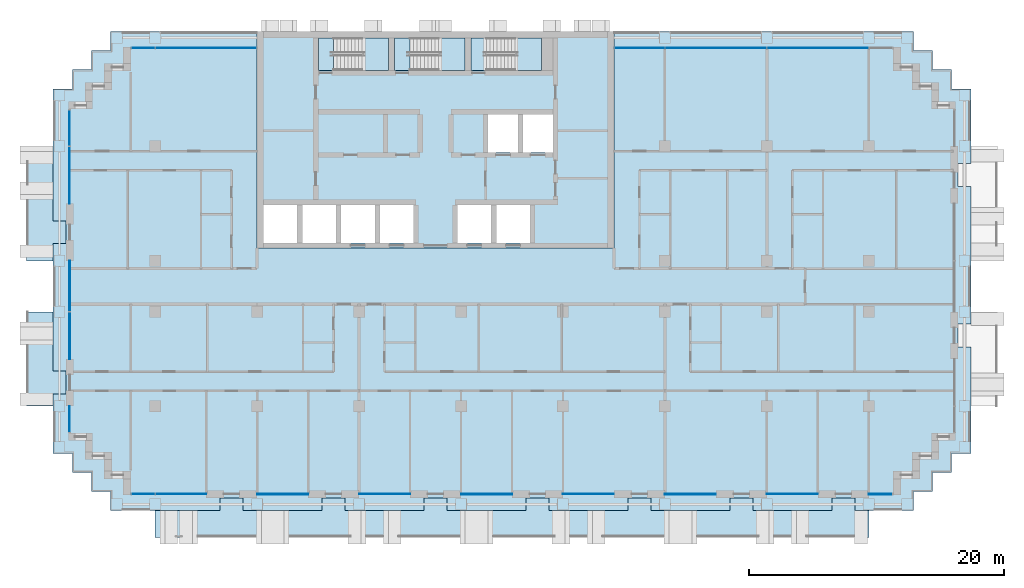
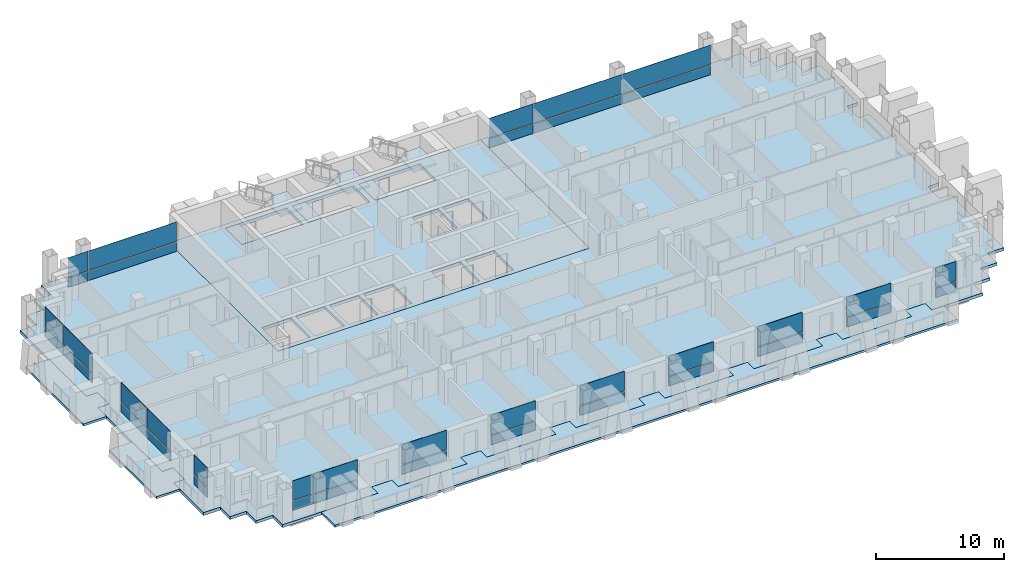
# One storey, part 7 of 18: 38 plates, 11 slabs, 16 elements without a shape of their own.
"""IFC4 building model written with IfcOpenShell, lengths in metres."""

from ifc_helpers import new_model, si_unit, direction, frame, origin, origin_2d, place, context, subcontext, project, spatial, polyline, rectangle, outline, extrude, material, layer, layer_set, type_object, element, aggregate, save


model = new_model("IFC4")

# Units and contexts
model_context = context("Model", 3, precision=1e-05, world=origin(), true_north=direction((0.0, 1.0)))
body_context = subcontext(model_context, "Body", "Model", "MODEL_VIEW")
ifc_project = project(units=[si_unit("LENGTHUNIT", "METRE"), si_unit("AREAUNIT", "SQUARE_METRE"), si_unit("VOLUMEUNIT", "CUBIC_METRE"), si_unit("PLANEANGLEUNIT", "RADIAN"), si_unit("MASSUNIT", "GRAM", prefix="KILO")], contexts=[model_context])

# Site, building, storey
site_placement = place(None, origin())
site = spatial("IfcSite", under=ifc_project, at=site_placement, CompositionType="ELEMENT")
building_placement = place(site_placement, origin())
building = spatial("IfcBuilding", under=site, at=building_placement, Name="Vidyagriha Tower", CompositionType="ELEMENT")
storey_placement = place(building_placement, frame((0.0, 0.0, 103.10009765625)))
storey = spatial("IfcBuildingStorey", under=building, at=storey_placement, Name="L27", CompositionType="ELEMENT", Elevation=103.10009765625)

# Curtain wall, plate
ifc_material_1 = material(Name="Aluminium and glass curtain wall", Category="aluminium")
curtain_wall_type = type_object("IfcCurtainWallType", Name="Dwelling skin unitised curtain wall", PredefinedType="USERDEFINED", material=ifc_material_1)
curtain_wall_1_placement = place(storey_placement, origin())
curtain_wall_1 = element("IfcCurtainWall", 1, at=curtain_wall_1_placement, inside=storey, type_object=curtain_wall_type, Name="CW1 dwelling skin", ObjectType="UNITISED", PredefinedType="USERDEFINED")
ifc_material_2 = material(Name="Glass dark ceramic-fritted spandrel", Category="glass")
ifc_layer_1 = layer(ifc_material_2, 0.0400390625)
ifc_layer_set_1 = layer_set([ifc_layer_1], Name="Glass dark ceramic-fritted spandrel")
plate_type_1 = type_object("IfcPlateType", Name="Ceramic-fritted spandrel panel", PredefinedType="CURTAIN_PANEL", material=ifc_layer_set_1)
plate_1_placement = place(storey_placement, frame((22.0, 18.699951171875, -0.000244140625), z_axis=(0.0, 0.0, 1.0), x_axis=(-1.0, 0.0, 0.0)))
plate_1 = element("IfcPlate", 2, at=plate_1_placement, type_object=plate_type_1, Name="CW1 panel 3.1", PredefinedType="CURTAIN_PANEL", context=body_context, shape_type="SweptSolid", body=[
    extrude(rectangle(XDim=7.929931640625, YDim=0.0400390625, at=origin_2d()), origin(), (0.0, 0.0, 1.0), 0.85009765625),
])

curtain_wall_2_placement = place(storey_placement, origin())
curtain_wall_2 = element("IfcCurtainWall", 3, at=curtain_wall_2_placement, inside=storey, type_object=curtain_wall_type, Name="CW1 dwelling skin", ObjectType="UNITISED", PredefinedType="USERDEFINED")
plate_2_placement = place(storey_placement, frame((-18.017578125, 18.699951171875, -0.000244140625), z_axis=(0.0, 0.0, 1.0), x_axis=(-1.0, 0.0, 0.0)))
plate_2 = element("IfcPlate", 4, at=plate_2_placement, type_object=plate_type_1, Name="CW1 panel 1.1", PredefinedType="CURTAIN_PANEL", context=body_context, shape_type="SweptSolid", body=[
    extrude(rectangle(XDim=7.89501953125, YDim=0.0400390625, at=origin_2d()), origin(), (0.0, 0.0, 1.0), 0.85009765625),
])

# Curtain wall, plates
curtain_wall_3_placement = place(storey_placement, origin())
curtain_wall_3 = element("IfcCurtainWall", 5, at=curtain_wall_3_placement, inside=storey, type_object=curtain_wall_type, Name="CW1 dwelling skin", ObjectType="UNITISED", PredefinedType="USERDEFINED")
plate_3_placement = place(storey_placement, frame((-28.699951171875, 12.4326171875, -0.000244140625), z_axis=(0.0, 0.0, 1.0), x_axis=(0.0, -1.0, 0.0)))
plate_3 = element("IfcPlate", 6, at=plate_3_placement, type_object=plate_type_1, Name="CW1 panel 1.1", PredefinedType="CURTAIN_PANEL", context=body_context, shape_type="SweptSolid", body=[
    extrude(rectangle(XDim=2.794921875, YDim=0.0400390625, at=origin_2d()), origin(), (0.0, 0.0, 1.0), 0.85009765625),
])
plate_4_placement = place(storey_placement, frame((-28.699951171875, 8.732421875, -0.000244140625), z_axis=(0.0, 0.0, 1.0), x_axis=(0.0, -1.0, 0.0)))
plate_4 = element("IfcPlate", 7, at=plate_4_placement, type_object=plate_type_1, Name="CW1 panel 2.1", PredefinedType="CURTAIN_PANEL", context=body_context, shape_type="SweptSolid", body=[
    extrude(rectangle(XDim=4.465087890625, YDim=0.0400390625, at=origin_2d()), origin(), (0.0, 0.0, 1.0), 0.85009765625),
])

# Curtain wall, plate
curtain_wall_4_placement = place(storey_placement, origin())
curtain_wall_4 = element("IfcCurtainWall", 8, at=curtain_wall_4_placement, inside=storey, type_object=curtain_wall_type, Name="CW1 dwelling skin", ObjectType="UNITISED", PredefinedType="USERDEFINED")
plate_5_placement = place(storey_placement, frame((-28.699951171875, -10.4150390625, -0.000244140625), z_axis=(0.0, 0.0, 1.0), x_axis=(0.0, -1.0, 0.0)))
plate_5 = element("IfcPlate", 9, at=plate_5_placement, type_object=plate_type_1, Name="CW1 panel 1.1", PredefinedType="CURTAIN_PANEL", context=body_context, shape_type="SweptSolid", body=[
    extrude(rectangle(XDim=2.030029296875, YDim=0.0400390625, at=origin_2d()), origin(), (0.0, 0.0, 1.0), 0.85009765625),
])

# Curtain wall, plates
curtain_wall_5_placement = place(storey_placement, origin())
curtain_wall_5 = element("IfcCurtainWall", 10, at=curtain_wall_5_placement, inside=storey, type_object=curtain_wall_type, Name="CW1 dwelling skin", ObjectType="UNITISED", PredefinedType="USERDEFINED")
plate_6_placement = place(storey_placement, frame((-22.9326171875, -16.300048828125, -0.000244140625)))
plate_6 = element("IfcPlate", 11, at=plate_6_placement, type_object=plate_type_1, Name="CW1 panel 1.1", PredefinedType="CURTAIN_PANEL", context=body_context, shape_type="SweptSolid", body=[
    extrude(rectangle(XDim=1.794921875, YDim=0.0400390625, at=origin_2d()), origin(), (0.0, 0.0, 1.0), 0.85009765625),
])
plate_7_placement = place(storey_placement, frame((-19.982421875, -16.300048828125, -0.000244140625)))
plate_7 = element("IfcPlate", 12, at=plate_7_placement, type_object=plate_type_1, Name="CW1 panel 2.1", PredefinedType="CURTAIN_PANEL", context=body_context, shape_type="SweptSolid", body=[
    extrude(rectangle(XDim=3.965087890625, YDim=0.0400390625, at=origin_2d()), origin(), (0.0, 0.0, 1.0), 0.85009765625),
])

# Curtain wall, plate
curtain_wall_6_placement = place(storey_placement, origin())
curtain_wall_6 = element("IfcCurtainWall", 13, at=curtain_wall_6_placement, inside=storey, type_object=curtain_wall_type, Name="CW1 dwelling skin", ObjectType="UNITISED", PredefinedType="USERDEFINED")
plate_8_placement = place(storey_placement, frame((-4.0, -16.300048828125, -0.000244140625)))
plate_8 = element("IfcPlate", 14, at=plate_8_placement, type_object=plate_type_1, Name="CW1 panel 1.1", PredefinedType="CURTAIN_PANEL", context=body_context, shape_type="SweptSolid", body=[
    extrude(rectangle(XDim=4.0, YDim=0.0400390625, at=origin_2d()), origin(), (0.0, 0.0, 1.0), 0.85009765625),
])

curtain_wall_7_placement = place(storey_placement, origin())
curtain_wall_7 = element("IfcCurtainWall", 15, at=curtain_wall_7_placement, inside=storey, type_object=curtain_wall_type, Name="CW1 dwelling skin", ObjectType="UNITISED", PredefinedType="USERDEFINED")
plate_9_placement = place(storey_placement, frame((12.0, -16.300048828125, -0.000244140625)))
plate_9 = element("IfcPlate", 16, at=plate_9_placement, type_object=plate_type_1, Name="CW1 panel 1.1", PredefinedType="CURTAIN_PANEL", context=body_context, shape_type="SweptSolid", body=[
    extrude(rectangle(XDim=4.0, YDim=0.0400390625, at=origin_2d()), origin(), (0.0, 0.0, 1.0), 0.85009765625),
])

curtain_wall_8_placement = place(storey_placement, origin())
curtain_wall_8 = element("IfcCurtainWall", 17, at=curtain_wall_8_placement, inside=storey, type_object=curtain_wall_type, Name="CW1 dwelling skin", ObjectType="UNITISED", PredefinedType="USERDEFINED")
plate_10_placement = place(storey_placement, frame((28.0, -16.300048828125, -0.000244140625)))
plate_10 = element("IfcPlate", 18, at=plate_10_placement, type_object=plate_type_1, Name="CW1 panel 1.1", PredefinedType="CURTAIN_PANEL", context=body_context, shape_type="SweptSolid", body=[
    extrude(rectangle(XDim=4.0, YDim=0.0400390625, at=origin_2d()), origin(), (0.0, 0.0, 1.0), 0.85009765625),
])

# Slab
ifc_material_3 = material(Name="Concrete C60/75", Category="concrete")
ifc_layer_2 = layer(ifc_material_3, 0.280029296875)
ifc_layer_set_2 = layer_set([ifc_layer_2], Name="Concrete C60/75")
slab_type_1 = type_object("IfcSlabType", Name="Core floor slab 280 mm", PredefinedType="FLOOR", material=ifc_layer_set_2)
slab_1_placement = place(storey_placement, frame((0.0, 0.0, -0.280029296875)))
element("IfcSlab", 19, at=slab_1_placement, inside=storey, type_object=slab_type_1, Name="L27 core floor 1", PredefinedType="FLOOR", context=body_context, shape_type="SweptSolid", body=[
    extrude(outline(polyline([(-14.0, 3.0), (-14.0, 20.0), (14.0, 20.0), (14.0, 3.0), (-14.0, 3.0)]), holes=[polyline([(9.199951171875, 13.5), (6.86669921875, 13.5), (6.86669921875, 10.5), (9.199951171875, 10.5), (9.199951171875, 13.5)]), polyline([(4.0, 19.5), (2.800048828125, 19.5), (2.800048828125, 16.949951171875), (4.0, 16.949951171875), (8.300048828125, 16.949951171875), (8.300048828125, 19.5), (4.0, 19.5)]), polyline([(7.4111328125, 6.39990234375), (4.7666015625, 6.39990234375), (4.7666015625, 3.39990234375), (7.4111328125, 3.39990234375), (7.4111328125, 6.39990234375)]), polyline([(6.466796875, 13.5), (4.13330078125, 13.5), (4.13330078125, 10.5), (6.466796875, 10.5), (6.466796875, 13.5)]), polyline([(1.72216796875, 6.39990234375), (1.72216796875, 3.39990234375), (4.36669921875, 3.39990234375), (4.36669921875, 6.39990234375), (1.72216796875, 6.39990234375)]), polyline([(-2.0, 16.949951171875), (2.300048828125, 16.949951171875), (2.300048828125, 19.5), (-2.0, 19.5), (-3.199951171875, 19.5), (-3.199951171875, 16.949951171875), (-2.0, 16.949951171875)]), polyline([(-1.72216796875, 6.39990234375), (-4.36669921875, 6.39990234375), (-4.36669921875, 3.39990234375), (-1.72216796875, 3.39990234375), (-1.72216796875, 6.39990234375)]), polyline([(-8.0, 19.5), (-9.199951171875, 19.5), (-9.199951171875, 16.949951171875), (-8.0, 16.949951171875), (-3.699951171875, 16.949951171875), (-3.699951171875, 19.5), (-8.0, 19.5)]), polyline([(-4.7666015625, 6.39990234375), (-7.4111328125, 6.39990234375), (-7.4111328125, 3.39990234375), (-4.7666015625, 3.39990234375), (-4.7666015625, 6.39990234375)]), polyline([(-7.81103515625, 6.39990234375), (-10.45556640625, 6.39990234375), (-10.45556640625, 3.39990234375), (-7.81103515625, 3.39990234375), (-7.81103515625, 6.39990234375)]), polyline([(-13.5, 6.39990234375), (-13.5, 3.39990234375), (-10.855712890625, 3.39990234375), (-10.855712890625, 6.39990234375), (-13.5, 6.39990234375)])]), origin(), (0.0, 0.0, 1.0), 0.280029296875),
])

# Plate
ifc_material_4 = material(Name="Glass dark ceramic-fritted", Category="glass")
ifc_layer_3 = layer(ifc_material_4, 0.028076171875)
ifc_layer_set_3 = layer_set([ifc_layer_3], Name="Glass dark ceramic-fritted")
plate_type_2 = type_object("IfcPlateType", Name="Dark ceramic-fritted vision glass panel", PredefinedType="CURTAIN_PANEL", material=ifc_layer_set_3)
plate_11_placement = place(storey_placement, frame((30.0, 18.699951171875, 0.949951171875), z_axis=(0.0, 0.0, 1.0), x_axis=(-1.0, 0.0, 0.0)))
plate_11 = element("IfcPlate", 20, at=plate_11_placement, type_object=plate_type_2, Name="CW1 panel 2.2", PredefinedType="CURTAIN_PANEL", context=body_context, shape_type="SweptSolid", body=[
    extrude(rectangle(XDim=7.929931640625, YDim=0.028076171875, at=origin_2d()), origin(), (0.0, 0.0, 1.0), 1.85009765625),
])

plate_12_placement = place(storey_placement, frame((22.0, 18.699951171875, 0.949951171875), z_axis=(0.0, 0.0, 1.0), x_axis=(-1.0, 0.0, 0.0)))
plate_12 = element("IfcPlate", 21, at=plate_12_placement, type_object=plate_type_2, Name="CW1 panel 3.2", PredefinedType="CURTAIN_PANEL", context=body_context, shape_type="SweptSolid", body=[
    extrude(rectangle(XDim=7.929931640625, YDim=0.028076171875, at=origin_2d()), origin(), (0.0, 0.0, 1.0), 1.85009765625),
])

plate_13_placement = place(storey_placement, frame((16.017578125, 18.699951171875, 0.949951171875), z_axis=(0.0, 0.0, 1.0), x_axis=(-1.0, 0.0, 0.0)))
plate_13 = element("IfcPlate", 22, at=plate_13_placement, type_object=plate_type_2, Name="CW1 panel 4.2", PredefinedType="CURTAIN_PANEL", context=body_context, shape_type="SweptSolid", body=[
    extrude(rectangle(XDim=3.89501953125, YDim=0.028076171875, at=origin_2d()), origin(), (0.0, 0.0, 1.0), 1.85009765625),
])

plate_14_placement = place(storey_placement, frame((-18.017578125, 18.699951171875, 0.949951171875), z_axis=(0.0, 0.0, 1.0), x_axis=(-1.0, 0.0, 0.0)))
plate_14 = element("IfcPlate", 23, at=plate_14_placement, type_object=plate_type_2, Name="CW1 panel 1.2", PredefinedType="CURTAIN_PANEL", context=body_context, shape_type="SweptSolid", body=[
    extrude(rectangle(XDim=7.89501953125, YDim=0.028076171875, at=origin_2d()), origin(), (0.0, 0.0, 1.0), 1.85009765625),
])

plate_15_placement = place(storey_placement, frame((-22.9326171875, 18.699951171875, 0.949951171875), z_axis=(0.0, 0.0, 1.0), x_axis=(-1.0, 0.0, 0.0)))
plate_15 = element("IfcPlate", 24, at=plate_15_placement, type_object=plate_type_2, Name="CW1 panel 2.2", PredefinedType="CURTAIN_PANEL", context=body_context, shape_type="SweptSolid", body=[
    extrude(rectangle(XDim=1.794921875, YDim=0.028076171875, at=origin_2d()), origin(), (0.0, 0.0, 1.0), 1.85009765625),
])

plate_16_placement = place(storey_placement, frame((-28.699951171875, 12.4326171875, 0.949951171875), z_axis=(0.0, 0.0, 1.0), x_axis=(0.0, -1.0, 0.0)))
plate_16 = element("IfcPlate", 25, at=plate_16_placement, type_object=plate_type_2, Name="CW1 panel 1.2", PredefinedType="CURTAIN_PANEL", context=body_context, shape_type="SweptSolid", body=[
    extrude(rectangle(XDim=2.794921875, YDim=0.028076171875, at=origin_2d()), origin(), (0.0, 0.0, 1.0), 1.85009765625),
])

plate_17_placement = place(storey_placement, frame((-28.699951171875, 8.732421875, 0.949951171875), z_axis=(0.0, 0.0, 1.0), x_axis=(0.0, -1.0, 0.0)))
plate_17 = element("IfcPlate", 26, at=plate_17_placement, type_object=plate_type_2, Name="CW1 panel 2.2", PredefinedType="CURTAIN_PANEL", context=body_context, shape_type="SweptSolid", body=[
    extrude(rectangle(XDim=4.465087890625, YDim=0.028076171875, at=origin_2d()), origin(), (0.0, 0.0, 1.0), 1.85009765625),
])

aggregate(curtain_wall_3, [plate_3, plate_16, plate_4, plate_17])

# Curtain wall, plates
curtain_wall_9_placement = place(storey_placement, origin())
curtain_wall_9 = element("IfcCurtainWall", 27, at=curtain_wall_9_placement, inside=storey, type_object=curtain_wall_type, Name="CW1 dwelling skin", ObjectType="UNITISED", PredefinedType="USERDEFINED")
plate_18_placement = place(storey_placement, frame((-28.699951171875, 0.017578125, 0.949951171875), z_axis=(0.0, 0.0, 1.0), x_axis=(0.0, -1.0, 0.0)))
plate_18 = element("IfcPlate", 28, at=plate_18_placement, type_object=plate_type_2, Name="CW1 panel 1.2", PredefinedType="CURTAIN_PANEL", context=body_context, shape_type="SweptSolid", body=[
    extrude(rectangle(XDim=3.965087890625, YDim=0.028076171875, at=origin_2d()), origin(), (0.0, 0.0, 1.0), 1.85009765625),
])
plate_19_placement = place(storey_placement, frame((-28.699951171875, -3.867431640625, 0.949951171875), z_axis=(0.0, 0.0, 1.0), x_axis=(0.0, -1.0, 0.0)))
plate_19 = element("IfcPlate", 29, at=plate_19_placement, type_object=plate_type_2, Name="CW1 panel 2.2", PredefinedType="CURTAIN_PANEL", context=body_context, shape_type="SweptSolid", body=[
    extrude(rectangle(XDim=3.6650390625, YDim=0.028076171875, at=origin_2d()), origin(), (0.0, 0.0, 1.0), 1.85009765625),
])

# Plate
plate_20_placement = place(storey_placement, frame((-28.699951171875, -10.4150390625, 0.949951171875), z_axis=(0.0, 0.0, 1.0), x_axis=(0.0, -1.0, 0.0)))
plate_20 = element("IfcPlate", 30, at=plate_20_placement, type_object=plate_type_2, Name="CW1 panel 1.2", PredefinedType="CURTAIN_PANEL", context=body_context, shape_type="SweptSolid", body=[
    extrude(rectangle(XDim=2.030029296875, YDim=0.028076171875, at=origin_2d()), origin(), (0.0, 0.0, 1.0), 1.85009765625),
])

aggregate(curtain_wall_4, [plate_5, plate_20])

plate_21_placement = place(storey_placement, frame((-22.9326171875, -16.300048828125, 0.949951171875)))
plate_21 = element("IfcPlate", 31, at=plate_21_placement, type_object=plate_type_2, Name="CW1 panel 1.2", PredefinedType="CURTAIN_PANEL", context=body_context, shape_type="SweptSolid", body=[
    extrude(rectangle(XDim=1.794921875, YDim=0.028076171875, at=origin_2d()), origin(), (0.0, 0.0, 1.0), 1.85009765625),
])

plate_22_placement = place(storey_placement, frame((-19.982421875, -16.300048828125, 0.949951171875)))
plate_22 = element("IfcPlate", 32, at=plate_22_placement, type_object=plate_type_2, Name="CW1 panel 2.2", PredefinedType="CURTAIN_PANEL", context=body_context, shape_type="SweptSolid", body=[
    extrude(rectangle(XDim=3.965087890625, YDim=0.028076171875, at=origin_2d()), origin(), (0.0, 0.0, 1.0), 1.85009765625),
])

aggregate(curtain_wall_5, [plate_6, plate_21, plate_7, plate_22])

# Curtain wall, plate
curtain_wall_10_placement = place(storey_placement, origin())
curtain_wall_10 = element("IfcCurtainWall", 33, at=curtain_wall_10_placement, inside=storey, type_object=curtain_wall_type, Name="CW1 dwelling skin", ObjectType="UNITISED", PredefinedType="USERDEFINED")
plate_23_placement = place(storey_placement, frame((-12.0, -16.300048828125, 0.949951171875)))
plate_23 = element("IfcPlate", 34, at=plate_23_placement, type_object=plate_type_2, Name="CW1 panel 1.2", PredefinedType="CURTAIN_PANEL", context=body_context, shape_type="SweptSolid", body=[
    extrude(rectangle(XDim=4.0, YDim=0.028076171875, at=origin_2d()), origin(), (0.0, 0.0, 1.0), 1.85009765625),
])

# Plate
plate_24_placement = place(storey_placement, frame((-4.0, -16.300048828125, 0.949951171875)))
plate_24 = element("IfcPlate", 35, at=plate_24_placement, type_object=plate_type_2, Name="CW1 panel 1.2", PredefinedType="CURTAIN_PANEL", context=body_context, shape_type="SweptSolid", body=[
    extrude(rectangle(XDim=4.0, YDim=0.028076171875, at=origin_2d()), origin(), (0.0, 0.0, 1.0), 1.85009765625),
])

aggregate(curtain_wall_6, [plate_8, plate_24])

# Curtain wall, plate
curtain_wall_11_placement = place(storey_placement, origin())
curtain_wall_11 = element("IfcCurtainWall", 36, at=curtain_wall_11_placement, inside=storey, type_object=curtain_wall_type, Name="CW1 dwelling skin", ObjectType="UNITISED", PredefinedType="USERDEFINED")
plate_25_placement = place(storey_placement, frame((4.0, -16.300048828125, 0.949951171875)))
plate_25 = element("IfcPlate", 37, at=plate_25_placement, type_object=plate_type_2, Name="CW1 panel 1.2", PredefinedType="CURTAIN_PANEL", context=body_context, shape_type="SweptSolid", body=[
    extrude(rectangle(XDim=4.0, YDim=0.028076171875, at=origin_2d()), origin(), (0.0, 0.0, 1.0), 1.85009765625),
])

# Plate
plate_26_placement = place(storey_placement, frame((12.0, -16.300048828125, 0.949951171875)))
plate_26 = element("IfcPlate", 38, at=plate_26_placement, type_object=plate_type_2, Name="CW1 panel 1.2", PredefinedType="CURTAIN_PANEL", context=body_context, shape_type="SweptSolid", body=[
    extrude(rectangle(XDim=4.0, YDim=0.028076171875, at=origin_2d()), origin(), (0.0, 0.0, 1.0), 1.85009765625),
])

aggregate(curtain_wall_7, [plate_9, plate_26])

# Curtain wall, plate
curtain_wall_12_placement = place(storey_placement, origin())
curtain_wall_12 = element("IfcCurtainWall", 39, at=curtain_wall_12_placement, inside=storey, type_object=curtain_wall_type, Name="CW1 dwelling skin", ObjectType="UNITISED", PredefinedType="USERDEFINED")
plate_27_placement = place(storey_placement, frame((20.0, -16.300048828125, 0.949951171875)))
plate_27 = element("IfcPlate", 40, at=plate_27_placement, type_object=plate_type_2, Name="CW1 panel 1.2", PredefinedType="CURTAIN_PANEL", context=body_context, shape_type="SweptSolid", body=[
    extrude(rectangle(XDim=4.0, YDim=0.028076171875, at=origin_2d()), origin(), (0.0, 0.0, 1.0), 1.85009765625),
])

# Plate
plate_28_placement = place(storey_placement, frame((28.0, -16.300048828125, 0.949951171875)))
plate_28 = element("IfcPlate", 41, at=plate_28_placement, type_object=plate_type_2, Name="CW1 panel 1.2", PredefinedType="CURTAIN_PANEL", context=body_context, shape_type="SweptSolid", body=[
    extrude(rectangle(XDim=4.0, YDim=0.028076171875, at=origin_2d()), origin(), (0.0, 0.0, 1.0), 1.85009765625),
])

aggregate(curtain_wall_8, [plate_10, plate_28])

# Curtain wall, plate
curtain_wall_13_placement = place(storey_placement, origin())
curtain_wall_13 = element("IfcCurtainWall", 42, at=curtain_wall_13_placement, inside=storey, type_object=curtain_wall_type, Name="CW1 dwelling skin", ObjectType="UNITISED", PredefinedType="USERDEFINED")
plate_29_placement = place(storey_placement, frame((34.9150390625, -16.300048828125, 0.949951171875)))
plate_29 = element("IfcPlate", 43, at=plate_29_placement, type_object=plate_type_2, Name="CW1 panel 1.2", PredefinedType="CURTAIN_PANEL", context=body_context, shape_type="SweptSolid", body=[
    extrude(rectangle(XDim=1.830078125, YDim=0.028076171875, at=origin_2d()), origin(), (0.0, 0.0, 1.0), 1.85009765625),
])

# Slabs
ifc_material_5 = material(Name="Concrete C40/50", Category="concrete")
ifc_layer_4 = layer(ifc_material_5, 0.280029296875)
ifc_layer_set_4 = layer_set([ifc_layer_4], Name="Concrete C40/50")
slab_type_2 = type_object("IfcSlabType", Name="Exit stair floor landing 280 mm", PredefinedType="LANDING", material=ifc_layer_set_4)
slab_2_placement = place(storey_placement, frame((0.0, 0.0, -0.280029296875)))
element("IfcSlab", 44, at=slab_2_placement, inside=storey, type_object=slab_type_2, Name="ST1 floor landing L27", PredefinedType="LANDING", context=body_context, shape_type="SweptSolid", body=[
    extrude(outline(polyline([(-9.199951171875, 16.949951171875), (-8.0, 16.949951171875), (-8.0, 19.5), (-9.199951171875, 19.5), (-9.199951171875, 16.949951171875)])), origin(), (0.0, 0.0, 1.0), 0.280029296875),
])
slab_3_placement = place(storey_placement, frame((0.0, 0.0, -0.280029296875)))
element("IfcSlab", 45, at=slab_3_placement, inside=storey, type_object=slab_type_2, Name="ST2 floor landing L27", PredefinedType="LANDING", context=body_context, shape_type="SweptSolid", body=[
    extrude(outline(polyline([(-3.199951171875, 16.949951171875), (-2.0, 16.949951171875), (-2.0, 19.5), (-3.199951171875, 19.5), (-3.199951171875, 16.949951171875)])), origin(), (0.0, 0.0, 1.0), 0.280029296875),
])
slab_4_placement = place(storey_placement, frame((0.0, 0.0, -0.280029296875)))
element("IfcSlab", 46, at=slab_4_placement, inside=storey, type_object=slab_type_2, Name="ST3 floor landing L27", PredefinedType="LANDING", context=body_context, shape_type="SweptSolid", body=[
    extrude(outline(polyline([(2.800048828125, 16.949951171875), (4.0, 16.949951171875), (4.0, 19.5), (2.800048828125, 19.5), (2.800048828125, 16.949951171875)])), origin(), (0.0, 0.0, 1.0), 0.280029296875),
])

# Stair, slab
ifc_material_6 = material(Name="Concrete C40/50", Category="concrete")
stair_type = type_object("IfcStairType", Name="Exit stair, half-turn, precast flights", PredefinedType="HALF_TURN_STAIR", material=ifc_material_6)
stair_1_placement = place(storey_placement, origin())
stair_1 = element("IfcStair", 47, at=stair_1_placement, inside=storey, type_object=stair_type, Name="L27 Exit Stair ST1", PredefinedType="HALF_TURN_STAIR")
ifc_material_7 = material(Name="Concrete C40/50", Category="concrete")
ifc_layer_5 = layer(ifc_material_7, 0.199951171875)
ifc_layer_set_5 = layer_set([ifc_layer_5], Name="Concrete C40/50")
slab_type_3 = type_object("IfcSlabType", Name="Exit stair landing 200 mm", PredefinedType="LANDING", material=ifc_layer_set_5)
slab_5_placement = place(storey_placement, frame((0.0, 0.0, 1.39990234375)))
slab_5 = element("IfcSlab", 48, at=slab_5_placement, type_object=slab_type_3, Name="ST1 landing 1", PredefinedType="LANDING", context=body_context, shape_type="SweptSolid", body=[
    extrude(outline(polyline([(-5.760009765625, 16.949951171875), (-3.699951171875, 16.949951171875), (-3.699951171875, 19.5), (-5.760009765625, 19.5), (-5.760009765625, 16.949951171875)])), origin(), (0.0, 0.0, 1.0), 0.199951171875),
])
aggregate(stair_1, [slab_5])

stair_2_placement = place(storey_placement, origin())
stair_2 = element("IfcStair", 49, at=stair_2_placement, inside=storey, type_object=stair_type, Name="L27 Exit Stair ST2", PredefinedType="HALF_TURN_STAIR")
slab_6_placement = place(storey_placement, frame((0.0, 0.0, 1.39990234375)))
slab_6 = element("IfcSlab", 50, at=slab_6_placement, type_object=slab_type_3, Name="ST2 landing 1", PredefinedType="LANDING", context=body_context, shape_type="SweptSolid", body=[
    extrude(outline(polyline([(0.239990234375, 16.949951171875), (2.300048828125, 16.949951171875), (2.300048828125, 19.5), (0.239990234375, 19.5), (0.239990234375, 16.949951171875)])), origin(), (0.0, 0.0, 1.0), 0.199951171875),
])
aggregate(stair_2, [slab_6])

stair_3_placement = place(storey_placement, origin())
stair_3 = element("IfcStair", 51, at=stair_3_placement, inside=storey, type_object=stair_type, Name="L27 Exit Stair ST3", PredefinedType="HALF_TURN_STAIR")
slab_7_placement = place(storey_placement, frame((0.0, 0.0, 1.39990234375)))
slab_7 = element("IfcSlab", 52, at=slab_7_placement, type_object=slab_type_3, Name="ST3 landing 1", PredefinedType="LANDING", context=body_context, shape_type="SweptSolid", body=[
    extrude(outline(polyline([(6.239990234375, 16.949951171875), (8.300048828125, 16.949951171875), (8.300048828125, 19.5), (6.239990234375, 19.5), (6.239990234375, 16.949951171875)])), origin(), (0.0, 0.0, 1.0), 0.199951171875),
])
aggregate(stair_3, [slab_7])

# Plate
ifc_material_8 = material(Name="Aluminium black anodised", Category="aluminium")
ifc_layer_6 = layer(ifc_material_8, 0.06005859375)
ifc_layer_set_6 = layer_set([ifc_layer_6], Name="Aluminium black anodised")
plate_type_3 = type_object("IfcPlateType", Name="Operable black-metal vent panel", PredefinedType="CURTAIN_PANEL", material=ifc_layer_set_6)
plate_30_placement = place(storey_placement, frame((30.0, 18.699951171875, -0.000244140625), z_axis=(0.0, 0.0, 1.0), x_axis=(-1.0, 0.0, 0.0)))
plate_30 = element("IfcPlate", 53, at=plate_30_placement, type_object=plate_type_3, Name="CW1 panel 2.1", PredefinedType="CURTAIN_PANEL", context=body_context, shape_type="SweptSolid", body=[
    extrude(rectangle(XDim=7.929931640625, YDim=0.06005859375, at=origin_2d()), origin(), (0.0, 0.0, 1.0), 0.85009765625),
])

plate_31_placement = place(storey_placement, frame((16.017578125, 18.699951171875, -0.000244140625), z_axis=(0.0, 0.0, 1.0), x_axis=(-1.0, 0.0, 0.0)))
plate_31 = element("IfcPlate", 54, at=plate_31_placement, type_object=plate_type_3, Name="CW1 panel 4.1", PredefinedType="CURTAIN_PANEL", context=body_context, shape_type="SweptSolid", body=[
    extrude(rectangle(XDim=3.89501953125, YDim=0.06005859375, at=origin_2d()), origin(), (0.0, 0.0, 1.0), 0.85009765625),
])

aggregate(curtain_wall_1, [plate_30, plate_11, plate_1, plate_12, plate_31, plate_13])

plate_32_placement = place(storey_placement, frame((-22.9326171875, 18.699951171875, -0.000244140625), z_axis=(0.0, 0.0, 1.0), x_axis=(-1.0, 0.0, 0.0)))
plate_32 = element("IfcPlate", 55, at=plate_32_placement, type_object=plate_type_3, Name="CW1 panel 2.1", PredefinedType="CURTAIN_PANEL", context=body_context, shape_type="SweptSolid", body=[
    extrude(rectangle(XDim=1.794921875, YDim=0.06005859375, at=origin_2d()), origin(), (0.0, 0.0, 1.0), 0.85009765625),
])

aggregate(curtain_wall_2, [plate_2, plate_14, plate_32, plate_15])

plate_33_placement = place(storey_placement, frame((-28.699951171875, 0.017578125, -0.000244140625), z_axis=(0.0, 0.0, 1.0), x_axis=(0.0, -1.0, 0.0)))
plate_33 = element("IfcPlate", 56, at=plate_33_placement, type_object=plate_type_3, Name="CW1 panel 1.1", PredefinedType="CURTAIN_PANEL", context=body_context, shape_type="SweptSolid", body=[
    extrude(rectangle(XDim=3.965087890625, YDim=0.06005859375, at=origin_2d()), origin(), (0.0, 0.0, 1.0), 0.85009765625),
])

plate_34_placement = place(storey_placement, frame((-28.699951171875, -3.867431640625, -0.000244140625), z_axis=(0.0, 0.0, 1.0), x_axis=(0.0, -1.0, 0.0)))
plate_34 = element("IfcPlate", 57, at=plate_34_placement, type_object=plate_type_3, Name="CW1 panel 2.1", PredefinedType="CURTAIN_PANEL", context=body_context, shape_type="SweptSolid", body=[
    extrude(rectangle(XDim=3.6650390625, YDim=0.06005859375, at=origin_2d()), origin(), (0.0, 0.0, 1.0), 0.85009765625),
])

aggregate(curtain_wall_9, [plate_33, plate_18, plate_34, plate_19])

plate_35_placement = place(storey_placement, frame((-12.0, -16.300048828125, -0.000244140625)))
plate_35 = element("IfcPlate", 58, at=plate_35_placement, type_object=plate_type_3, Name="CW1 panel 1.1", PredefinedType="CURTAIN_PANEL", context=body_context, shape_type="SweptSolid", body=[
    extrude(rectangle(XDim=4.0, YDim=0.06005859375, at=origin_2d()), origin(), (0.0, 0.0, 1.0), 0.85009765625),
])

aggregate(curtain_wall_10, [plate_35, plate_23])

plate_36_placement = place(storey_placement, frame((4.0, -16.300048828125, -0.000244140625)))
plate_36 = element("IfcPlate", 59, at=plate_36_placement, type_object=plate_type_3, Name="CW1 panel 1.1", PredefinedType="CURTAIN_PANEL", context=body_context, shape_type="SweptSolid", body=[
    extrude(rectangle(XDim=4.0, YDim=0.06005859375, at=origin_2d()), origin(), (0.0, 0.0, 1.0), 0.85009765625),
])

aggregate(curtain_wall_11, [plate_36, plate_25])

plate_37_placement = place(storey_placement, frame((20.0, -16.300048828125, -0.000244140625)))
plate_37 = element("IfcPlate", 60, at=plate_37_placement, type_object=plate_type_3, Name="CW1 panel 1.1", PredefinedType="CURTAIN_PANEL", context=body_context, shape_type="SweptSolid", body=[
    extrude(rectangle(XDim=4.0, YDim=0.06005859375, at=origin_2d()), origin(), (0.0, 0.0, 1.0), 0.85009765625),
])

aggregate(curtain_wall_12, [plate_37, plate_27])

plate_38_placement = place(storey_placement, frame((34.9150390625, -16.300048828125, -0.000244140625)))
plate_38 = element("IfcPlate", 61, at=plate_38_placement, type_object=plate_type_3, Name="CW1 panel 1.1", PredefinedType="CURTAIN_PANEL", context=body_context, shape_type="SweptSolid", body=[
    extrude(rectangle(XDim=1.830078125, YDim=0.06005859375, at=origin_2d()), origin(), (0.0, 0.0, 1.0), 0.85009765625),
])

aggregate(curtain_wall_13, [plate_38, plate_29])

# Slabs
ifc_material_9 = material(Name="Concrete C50/60", Category="concrete")
ifc_layer_7 = layer(ifc_material_9, 0.280029296875)
ifc_layer_set_7 = layer_set([ifc_layer_7], Name="Concrete C50/60")
slab_type_4 = type_object("IfcSlabType", Name="Post-tensioned flat plate 280", PredefinedType="FLOOR", material=ifc_layer_set_7)
slab_8_placement = place(storey_placement, frame((0.0, 0.0, -0.280029296875)))
element("IfcSlab", 62, at=slab_8_placement, inside=storey, type_object=slab_type_4, Name="st-slab-L27-1", PredefinedType="FLOOR", context=body_context, shape_type="SweptSolid", body=[
    extrude(outline(polyline([(40.5, -14.60009765625), (39.0, -14.60009765625), (39.0, -16.10009765625), (37.5, -16.10009765625), (37.5, -17.60009765625), (32.89990234375, -17.60009765625), (32.89990234375, -16.60009765625), (31.10009765625, -16.60009765625), (31.10009765625, -17.60009765625), (24.89990234375, -17.60009765625), (24.89990234375, -16.60009765625), (23.10009765625, -16.60009765625), (23.10009765625, -17.60009765625), (16.89990234375, -17.60009765625), (16.89990234375, -16.60009765625), (15.10009765625, -16.60009765625), (15.10009765625, -17.60009765625), (8.89990234375, -17.60009765625), (8.89990234375, -16.60009765625), (7.10009765625, -16.60009765625), (7.10009765625, -17.60009765625), (0.89990234375, -17.60009765625), (0.89990234375, -16.60009765625), (-0.89990234375, -16.60009765625), (-0.89990234375, -17.60009765625), (-7.10009765625, -17.60009765625), (-7.10009765625, -16.60009765625), (-8.89990234375, -16.60009765625), (-8.89990234375, -17.60009765625), (-15.10009765625, -17.60009765625), (-15.10009765625, -16.60009765625), (-16.89990234375, -16.60009765625), (-16.89990234375, -17.60009765625), (-25.5, -17.60009765625), (-25.5, -16.10009765625), (-27.0, -16.10009765625), (-27.0, -14.60009765625), (-28.5, -14.60009765625), (-28.5, -13.10009765625), (-30.0, -13.10009765625), (-30.0, -8.449951171875), (-29.0, -8.449951171875), (-29.0, -6.64990234375), (-30.0, -6.64990234375), (-30.0, 3.35009765625), (-29.0, 3.35009765625), (-29.0, 5.14990234375), (-30.0, 5.14990234375), (-30.0, 15.5), (-28.5, 15.5), (-28.5, 17.0), (-27.0, 17.0), (-27.0, 18.5), (-25.5, 18.5), (-25.5, 20.0), (-14.0, 20.0), (-14.0, 3.0), (14.0, 3.0), (14.0, 20.0), (37.5, 20.0), (37.5, 18.5), (39.0, 18.5), (39.0, 17.0), (40.5, 17.0), (40.5, 15.5), (42.0, 15.5), (42.0, 9.64990234375), (41.0, 9.64990234375), (41.0, 7.85009765625), (42.0, 7.85009765625), (42.0, -2.949951171875), (41.0, -2.949951171875), (41.0, -4.75), (42.0, -4.75), (42.0, -13.10009765625), (40.5, -13.10009765625), (40.5, -14.60009765625)])), origin(), (0.0, 0.0, 1.0), 0.280029296875),
])
ifc_material_10 = material(Name="Precast concrete C40/50", Category="concrete")
ifc_layer_8 = layer(ifc_material_10, 0.199951171875)
ifc_layer_set_8 = layer_set([ifc_layer_8], Name="Precast concrete C40/50")
slab_type_5 = type_object("IfcSlabType", Name="Precast balcony slab 200", PredefinedType="USERDEFINED", material=ifc_layer_set_8)
slab_9_placement = place(storey_placement, frame((0.0, 0.0, -0.2001953125)))
element("IfcSlab", 63, at=slab_9_placement, inside=storey, type_object=slab_type_5, Name="Balcony slab L27 R16.1-1", ObjectType="BALCONY", PredefinedType="USERDEFINED", context=body_context, shape_type="SweptSolid", body=[
    extrude(outline(polyline([(-29.0, 3.35009765625), (-29.0, 5.14990234375), (-30.0, 5.14990234375), (-30.0, 11.0), (-32.10009765625, 11.0), (-32.10009765625, 2.0), (-30.0, 2.0), (-30.0, 3.35009765625), (-29.0, 3.35009765625)])), origin(), (0.0, 0.0, 1.0), 0.2001953125),
])
slab_10_placement = place(storey_placement, frame((0.0, 0.0, -0.2001953125)))
element("IfcSlab", 64, at=slab_10_placement, inside=storey, type_object=slab_type_5, Name="Balcony slab L27 R16.2-2", ObjectType="BALCONY", PredefinedType="USERDEFINED", context=body_context, shape_type="SweptSolid", body=[
    extrude(outline(polyline([(-29.0, -8.449951171875), (-29.0, -6.64990234375), (-30.0, -6.64990234375), (-30.0, -2.0), (-32.10009765625, -2.0), (-32.10009765625, -9.39990234375), (-30.0, -9.39990234375), (-30.0, -8.449951171875), (-29.0, -8.449951171875)])), origin(), (0.0, 0.0, 1.0), 0.2001953125),
])
slab_11_placement = place(storey_placement, frame((0.0, 0.0, -0.2001953125)))
element("IfcSlab", 65, at=slab_11_placement, inside=storey, type_object=slab_type_5, Name="Balcony slab L27 R23.1-7", ObjectType="BALCONY", PredefinedType="USERDEFINED", context=body_context, shape_type="SweptSolid", body=[
    extrude(outline(polyline([(-15.10009765625, -16.60009765625), (-16.89990234375, -16.60009765625), (-16.89990234375, -17.60009765625), (-22.0, -17.60009765625), (-22.0, -19.699951171875), (34.0, -19.699951171875), (34.0, -17.60009765625), (32.89990234375, -17.60009765625), (32.89990234375, -16.60009765625), (31.10009765625, -16.60009765625), (31.10009765625, -17.60009765625), (24.89990234375, -17.60009765625), (24.89990234375, -16.60009765625), (23.10009765625, -16.60009765625), (23.10009765625, -17.60009765625), (16.89990234375, -17.60009765625), (16.89990234375, -16.60009765625), (15.10009765625, -16.60009765625), (15.10009765625, -17.60009765625), (8.89990234375, -17.60009765625), (8.89990234375, -16.60009765625), (7.10009765625, -16.60009765625), (7.10009765625, -17.60009765625), (0.89990234375, -17.60009765625), (0.89990234375, -16.60009765625), (-0.89990234375, -16.60009765625), (-0.89990234375, -17.60009765625), (-7.10009765625, -17.60009765625), (-7.10009765625, -16.60009765625), (-8.89990234375, -16.60009765625), (-8.89990234375, -17.60009765625), (-15.10009765625, -17.60009765625), (-15.10009765625, -16.60009765625)])), origin(), (0.0, 0.0, 1.0), 0.2001953125),
])

save(model, "model.ifc")
